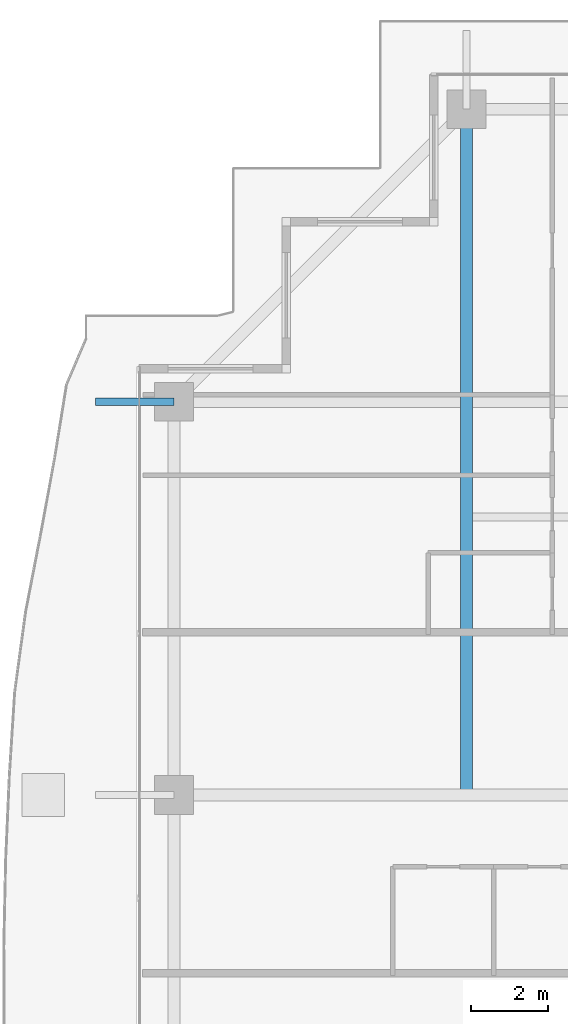
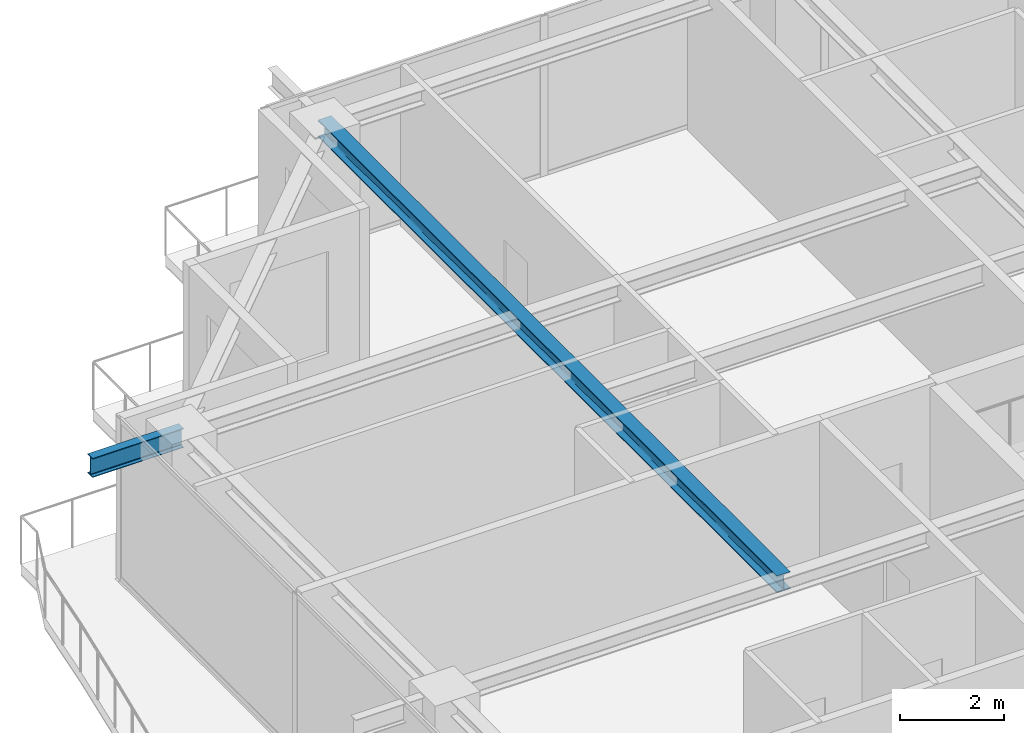
# One storey, part 17 of 37: 2 beams.
"""IFC4 building model written with IfcOpenShell, lengths in metres."""

from ifc_helpers import new_model, si_unit, direction, frame, origin, origin_2d, place, context, subcontext, project, spatial, i_section, extrude, source, transform, mapped, material, material_profile, profile_set, type_object, element, save


model = new_model("IFC4")

# Units and contexts
model_context = context("Model", 3, precision=1e-05, world=origin(), true_north=direction((0.0, 1.0)))
body_context = subcontext(model_context, "Body", "Model", "MODEL_VIEW")
ifc_project = project(units=[si_unit("LENGTHUNIT", "METRE"), si_unit("AREAUNIT", "SQUARE_METRE"), si_unit("VOLUMEUNIT", "CUBIC_METRE"), si_unit("PLANEANGLEUNIT", "RADIAN"), si_unit("MASSUNIT", "GRAM", prefix="KILO")], contexts=[model_context])

# Site, building, storey
site_placement = place(None, origin())
site = spatial("IfcSite", under=ifc_project, at=site_placement, CompositionType="ELEMENT")
building_placement = place(site_placement, origin())
building = spatial("IfcBuilding", under=site, at=building_placement, Name="Serunith Strait Residences", CompositionType="ELEMENT")
storey_placement = place(building_placement, frame((0.0, 0.0, 305.60009765625)))
storey = spatial("IfcBuildingStorey", under=building, at=storey_placement, Name="L76", CompositionType="ELEMENT", Elevation=305.60009765625)

# Beams
ifc_material = material(Name="Steel S355J2", Category="steel")
ifc_material_profile_1 = material_profile(ifc_material, i_section(OverallWidth=0.300048828125, OverallDepth=0.39990234375, WebThickness=0.013427734375, FlangeThickness=0.02392578125, FilletRadius=0.027099609375, at=origin_2d()), Name="HEB 400")
ifc_profile_set_1 = profile_set([ifc_material_profile_1], Name="Steel S355J2")
beam_type_1 = type_object("IfcBeamType", Name="BM-HEB400", PredefinedType="BEAM", material=ifc_profile_set_1)
shared_shape_1 = source(origin(), body_context, "Body", "SweptSolid", [
    extrude(i_section(OverallWidth=0.300048828125, OverallDepth=0.39990234375, WebThickness=0.013427734375, FlangeThickness=0.02392578125, FilletRadius=0.027099609375, at=origin_2d()), origin(), (0.0, 0.0, 1.0), 17.7001953125),
])
beam_1_placement = place(storey_placement, frame((17.64990234375, 29.39990234375, 3.5869140625), z_axis=(0.0, 1.0, 0.0), x_axis=(-1.0, 0.0, 0.0)))
element("IfcBeam", 1, at=beam_1_placement, inside=storey, type_object=beam_type_1, Name="L76 Orthogonal Corner Girder TC-N1", PredefinedType="BEAM", context=body_context, shape_type="MappedRepresentation", body=[
    mapped(shared_shape_1, transform((0.0, 0.0, 0.0), scale=1.0)),
])
ifc_material_profile_2 = material_profile(ifc_material, i_section(OverallWidth=0.18994140625, OverallDepth=0.449951171875, WebThickness=0.009521484375, FlangeThickness=0.0146484375, FilletRadius=0.02099609375, at=origin_2d()), Name="IPE 450")
ifc_profile_set_2 = profile_set([ifc_material_profile_2], Name="Steel S355J2")
beam_type_2 = type_object("IfcBeamType", Name="BM-IPE450", PredefinedType="JOIST", material=ifc_profile_set_2)
shared_shape_2 = source(origin(), body_context, "Body", "SweptSolid", [
    extrude(i_section(OverallWidth=0.18994140625, OverallDepth=0.449951171875, WebThickness=0.009521484375, FlangeThickness=0.0146484375, FilletRadius=0.02099609375, at=origin_2d()), origin(), (0.0, 0.0, 1.0), 2.030029296875),
])
beam_2_placement = place(storey_placement, frame((10.10009765625, 39.550048828125, 3.531982421875), z_axis=(-1.0, 0.0, 0.0), x_axis=(0.0, -1.0, 0.0)))
element("IfcBeam", 2, at=beam_2_placement, inside=storey, type_object=beam_type_2, Name="L77 Cantilevered Balcony Rib TC-W4", PredefinedType="JOIST", context=body_context, shape_type="MappedRepresentation", body=[
    mapped(shared_shape_2, transform((0.0, 0.0, 0.0), scale=1.0)),
])

save(model, "model.ifc")
